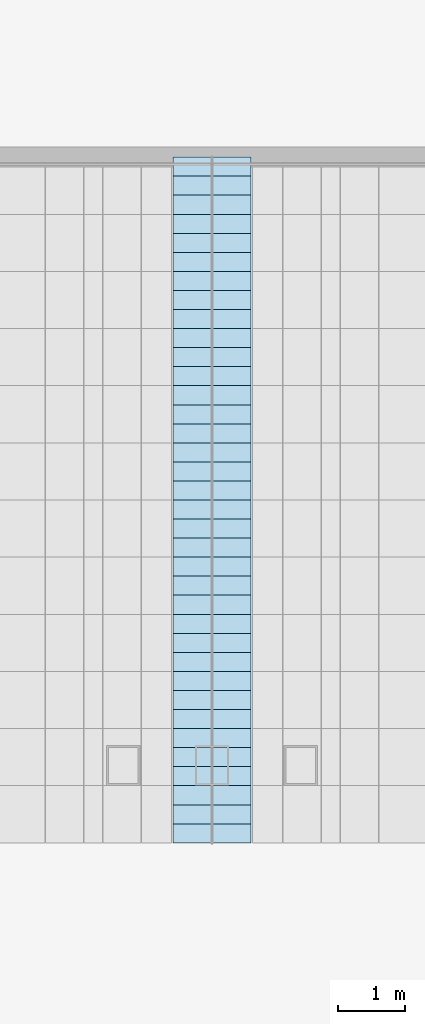
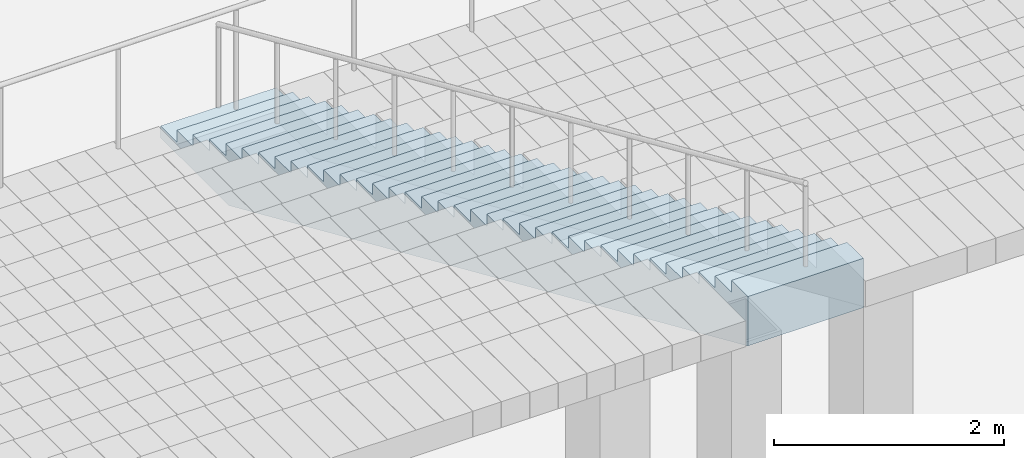
# One storey, part 17 of 62: 1 slab.
"""IFC4 building model written with IfcOpenShell, lengths in metres."""

from ifc_helpers import new_model, si_unit, direction, frame, origin, place, context, subcontext, project, spatial, polyline, outline, extrude, material, layer, layer_set, type_object, element, save


model = new_model("IFC4")

# Units and contexts
model_context = context("Model", 3, precision=1e-05, world=origin(), true_north=direction((0.0, 1.0)))
body_context = subcontext(model_context, "Body", "Model", "MODEL_VIEW")
ifc_project = project(units=[si_unit("LENGTHUNIT", "METRE"), si_unit("AREAUNIT", "SQUARE_METRE"), si_unit("VOLUMEUNIT", "CUBIC_METRE"), si_unit("PLANEANGLEUNIT", "RADIAN"), si_unit("MASSUNIT", "GRAM", prefix="KILO")], contexts=[model_context])

# Site, building, storey
site_placement = place(None, origin())
site = spatial("IfcSite", under=ifc_project, at=site_placement, CompositionType="ELEMENT")
building_placement = place(site_placement, origin())
building = spatial("IfcBuilding", under=site, at=building_placement, Name="Corbelhall Arena Tower", CompositionType="ELEMENT")
storey_placement = place(building_placement, frame((0.0, 0.0, 12.0)))
storey = spatial("IfcBuildingStorey", under=building, at=storey_placement, Name="L01", CompositionType="ELEMENT", Elevation=12.0)

# Slab
ifc_material = material(Name="Precast concrete C40/50", Category="concrete")
ifc_layer = layer(ifc_material, 0.25)
ifc_layer_set = layer_set([ifc_layer], Name="AISLE STEPS (BC 1029)")
slab_type = type_object("IfcSlabType", Name="AISLE STEPS (BC 1029)", PredefinedType="FLOOR", material=ifc_layer_set)
slab_placement = place(storey_placement, frame((-6.6201171875, -15.14990234375, 2.375), z_axis=(0.0, 0.0, 1.0), x_axis=(0.0, -1.0, 0.0)))
element("IfcSlab", 1, at=slab_placement, inside=storey, type_object=slab_type, Name="Aisle steps LS-AIS3", PredefinedType="FLOOR", context=body_context, shape_type="SweptSolid", body=[
    extrude(outline(polyline([(0.0, 0.0), (0.0, 0.125), (0.283447265625, 0.125), (0.283447265625, 0.25), (0.566650390625, 0.25), (0.566650390625, 0.375), (0.85009765625, 0.375), (0.85009765625, 0.5), (1.13330078125, 0.5), (1.13330078125, 0.625), (1.416748046875, 0.625), (1.416748046875, 0.75), (1.699951171875, 0.75), (1.699951171875, 0.875), (1.9833984375, 0.875), (1.9833984375, 1.0), (2.2666015625, 1.0), (2.2666015625, 1.125), (2.550048828125, 1.125), (2.550048828125, 1.25), (2.833251953125, 1.25), (2.833251953125, 1.375), (3.11669921875, 1.375), (3.11669921875, 1.5), (3.39990234375, 1.5), (3.39990234375, 1.625), (3.683349609375, 1.625), (3.683349609375, 1.75), (3.966552734375, 1.75), (3.966552734375, 1.875), (4.25, 1.875), (4.25, 2.0), (4.533447265625, 2.0), (4.533447265625, 2.125), (4.816650390625, 2.125), (4.816650390625, 2.25), (5.10009765625, 2.25), (5.10009765625, 2.375), (5.38330078125, 2.375), (5.38330078125, 2.5), (5.666748046875, 2.5), (5.666748046875, 2.625), (5.949951171875, 2.625), (5.949951171875, 2.75), (6.2333984375, 2.75), (6.2333984375, 2.875), (6.5166015625, 2.875), (6.5166015625, 3.0), (6.800048828125, 3.0), (6.800048828125, 3.125), (7.083251953125, 3.125), (7.083251953125, 3.25), (7.36669921875, 3.25), (7.36669921875, 3.375), (7.64990234375, 3.375), (7.64990234375, 3.5), (7.933349609375, 3.5), (7.933349609375, 3.625), (8.216552734375, 3.625), (8.216552734375, 3.75), (8.5, 3.75), (8.5, 3.875), (8.783203125, 3.875), (8.783203125, 4.0), (9.066650390625, 4.0), (9.066650390625, 4.125), (9.35009765625, 4.125), (9.35009765625, 4.25), (9.63330078125, 4.25), (9.63330078125, 4.375), (9.916748046875, 4.375), (9.916748046875, 4.5), (10.199951171875, 4.5), (10.199951171875, 4.625), (10.199951171875, 3.976806640625), (1.18603515625, 0.0), (0.0, 0.0)])), frame((0.0, 0.580078125, 0.0), z_axis=(0.0, -1.0, 0.0), x_axis=(1.0, 0.0, 0.0)), (0.0, 0.0, 1.0), 1.159912109375),
])

save(model, "model.ifc")
